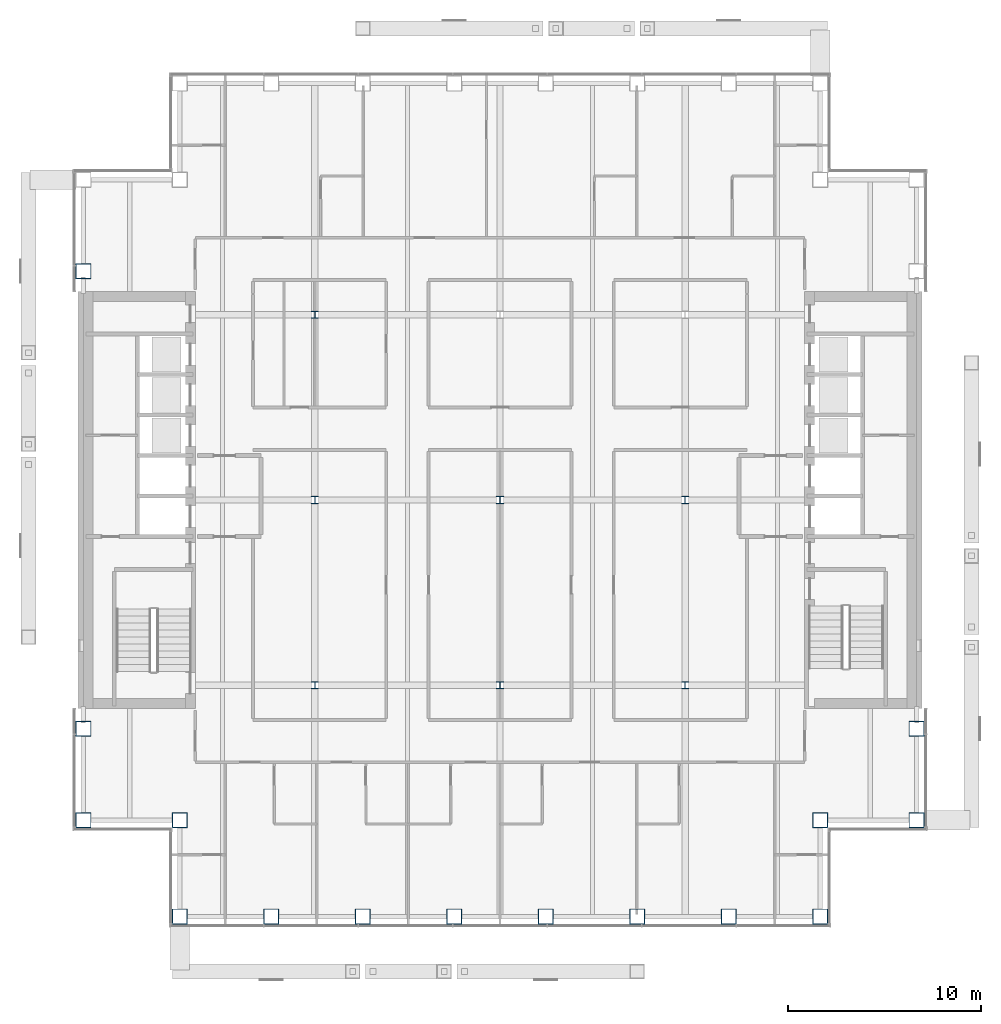
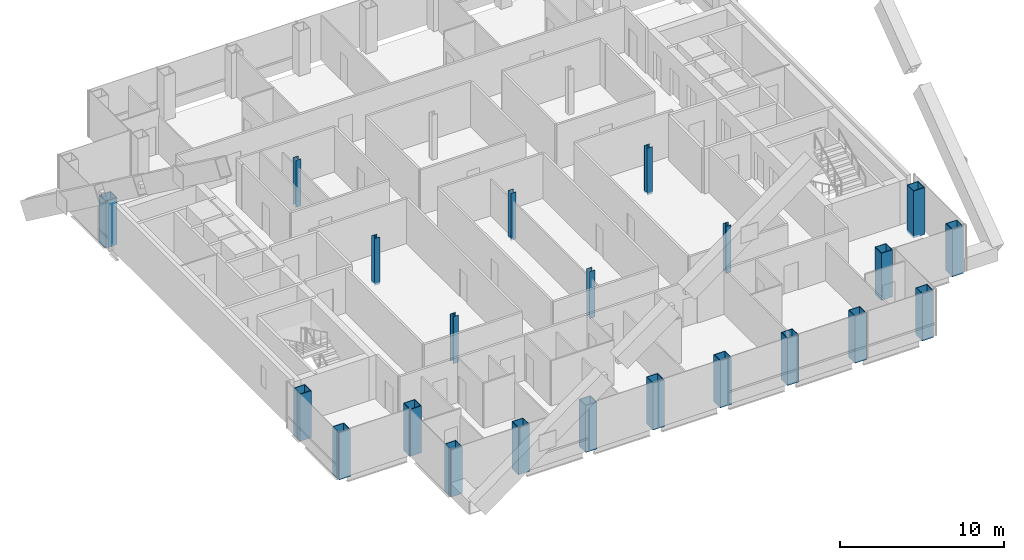
# One storey, part 1 of 17: 22 columns.
"""IFC4 building model written with IfcOpenShell, lengths in metres."""

from ifc_helpers import new_model, si_unit, direction, frame, origin, origin_2d, place, context, subcontext, project, spatial, hollow_rectangle, i_section, extrude, material, material_profile, profile_set, type_object, element, save


model = new_model("IFC4")

# Units and contexts
model_context = context("Model", 3, precision=1e-05, world=origin(), true_north=direction((0.0, 1.0)))
body_context = subcontext(model_context, "Body", "Model", "MODEL_VIEW")
ifc_project = project(units=[si_unit("LENGTHUNIT", "METRE"), si_unit("AREAUNIT", "SQUARE_METRE"), si_unit("VOLUMEUNIT", "CUBIC_METRE"), si_unit("PLANEANGLEUNIT", "RADIAN"), si_unit("MASSUNIT", "GRAM", prefix="KILO")], contexts=[model_context])

# Site, building, storey
site_placement = place(None, origin())
site = spatial("IfcSite", under=ifc_project, at=site_placement, CompositionType="ELEMENT")
building_placement = place(site_placement, origin())
building = spatial("IfcBuilding", under=site, at=building_placement, Name="Cobrizo Arcos Hotel Tower", CompositionType="ELEMENT")
storey_placement = place(building_placement, frame((0.0, 0.0, 151.5)))
storey = spatial("IfcBuildingStorey", under=building, at=storey_placement, Name="L38", CompositionType="ELEMENT", Elevation=151.5)

# Columns
ifc_material_1 = material(Name="Steel ASTM A572 Grade 50", Category="steel")
ifc_material_profile_1 = material_profile(ifc_material_1, hollow_rectangle(XDim=0.800048828125, YDim=0.800048828125, WallThickness=0.044921875, at=origin_2d()), Name="BOX 800X800X45")
ifc_profile_set_1 = profile_set([ifc_material_profile_1], Name="Steel ASTM A572 Grade 50")
column_type_1 = type_object("IfcColumnType", Name="BOX 800X800X45 column", PredefinedType="COLUMN", material=ifc_profile_set_1)
for number, where, z_axis, x_axis, name in (
    (1, (-16.60009765625, -21.60009765625, -0.14990234375), (0.0, 0.0, 1.0), (1.0, 0.0, 0.0), "Perimeter column C8, L38, no. 01"),
    (2, (-11.85693359375, -21.60009765625, -0.14990234375), (0.0, 0.0, 1.0), (1.0, 0.0, 0.0), "Perimeter column C8, L38, no. 03"),
    (3, (-7.114013671875, -21.60009765625, -0.14990234375), (0.0, 0.0, 1.0), (1.0, 0.0, 0.0), "Perimeter column C8, L38, no. 05"),
    (4, (-2.37109375, -21.60009765625, -0.14990234375), (0.0, 0.0, 1.0), (1.0, 0.0, 0.0), "Perimeter column C8, L38, no. 07"),
    (5, (2.37109375, -21.60009765625, -0.14990234375), (0.0, 0.0, 1.0), (1.0, 0.0, 0.0), "Perimeter column C8, L38, no. 09"),
    (6, (7.114013671875, -21.60009765625, -0.14990234375), (0.0, 0.0, 1.0), (1.0, 0.0, 0.0), "Perimeter column C8, L38, no. 11"),
    (7, (11.85693359375, -21.60009765625, -0.14990234375), (0.0, 0.0, 1.0), (1.0, 0.0, 0.0), "Perimeter column C8, L38, no. 13"),
    (8, (16.60009765625, -21.60009765625, -0.14990234375), (0.0, 0.0, 1.0), (1.0, 0.0, 0.0), "Perimeter column C8, L38, no. 15"),
    (9, (21.60009765625, -16.60009765625, -0.14990234375), (0.0, 0.0, 1.0), (1.0, 0.0, 0.0), "Perimeter column C8, L38, no. 16"),
    (10, (-21.60009765625, -16.60009765625, -0.14990234375), (0.0, 0.0, 1.0), (1.0, 0.0, 0.0), "Perimeter column C8, L38, no. 17"),
    (11, (21.60009765625, -11.85693359375, -0.14990234375), (0.0, 0.0, 1.0), (1.0, 0.0, 0.0), "Perimeter column C8, L38, no. 18"),
    (12, (-21.60009765625, -11.85693359375, -0.14990234375), (0.0, 0.0, 1.0), (1.0, 0.0, 0.0), "Perimeter column C8, L38, no. 19"),
    (13, (-21.60009765625, 11.85693359375, -0.14990234375), (0.0, 0.0, 1.0), (1.0, 0.0, 0.0), "Perimeter column C8, L38, no. 21"),
    (14, (-16.60009765625, -16.60009765625, -0.14990234375), (0.0, 0.0, 1.0), (1.0, 0.0, 0.0), "Perimeter column C8, L38, no. 24"),
    (15, (16.60009765625, -16.60009765625, -0.14990234375), (0.0, 0.0, 1.0), (1.0, 0.0, 0.0), "Perimeter column C8, L38, no. 26"),
):
    element("IfcColumn", number, at=place(storey_placement, frame(where, z_axis=z_axis, x_axis=x_axis)), inside=storey, type_object=column_type_1, Name=name, PredefinedType="COLUMN", context=body_context, shape_type="SweptSolid", body=[
        extrude(hollow_rectangle(XDim=0.800048828125, YDim=0.800048828125, WallThickness=0.044921875, at=origin_2d()), origin(), (0.0, 0.0, 1.0), 3.5),
    ])
ifc_material_2 = material(Name="Steel ASTM A992 Grade 50", Category="steel")
ifc_material_profile_2 = material_profile(ifc_material_2, i_section(OverallWidth=0.373291015625, OverallDepth=0.373291015625, WebThickness=0.016357421875, FlangeThickness=0.026123046875, at=origin_2d()), Name="W14X132")
ifc_profile_set_2 = profile_set([ifc_material_profile_2], Name="Steel ASTM A992 Grade 50")
column_type_2 = type_object("IfcColumnType", Name="W14X132 interior column", PredefinedType="COLUMN", material=ifc_profile_set_2)
for number, where, z_axis, x_axis, name in (
    (16, (-9.60009765625, -9.60009765625, -0.14990234375), (0.0, 0.0, 1.0), (1.0, 0.0, 0.0), "Interior column C9, L38, no. 00"),
    (17, (-9.60009765625, 0.0, -0.14990234375), (0.0, 0.0, 1.0), (1.0, 0.0, 0.0), "Interior column C9, L38, no. 01"),
    (18, (-9.60009765625, 9.60009765625, -0.14990234375), (0.0, 0.0, 1.0), (1.0, 0.0, 0.0), "Interior column C9, L38, no. 02"),
    (19, (0.0, -9.60009765625, -0.14990234375), (0.0, 0.0, 1.0), (1.0, 0.0, 0.0), "Interior column C9, L38, no. 03"),
    (20, (0.0, 0.0, -0.14990234375), (0.0, 0.0, 1.0), (1.0, 0.0, 0.0), "Interior column C9, L38, no. 04"),
    (21, (9.60009765625, -9.60009765625, -0.14990234375), (0.0, 0.0, 1.0), (1.0, 0.0, 0.0), "Interior column C9, L38, no. 06"),
    (22, (9.60009765625, 0.0, -0.14990234375), (0.0, 0.0, 1.0), (1.0, 0.0, 0.0), "Interior column C9, L38, no. 07"),
):
    element("IfcColumn", number, at=place(storey_placement, frame(where, z_axis=z_axis, x_axis=x_axis)), inside=storey, type_object=column_type_2, Name=name, PredefinedType="COLUMN", context=body_context, shape_type="SweptSolid", body=[
        extrude(i_section(OverallWidth=0.373291015625, OverallDepth=0.373291015625, WebThickness=0.016357421875, FlangeThickness=0.026123046875, at=origin_2d()), origin(), (0.0, 0.0, 1.0), 3.5),
    ])

save(model, "model.ifc")
